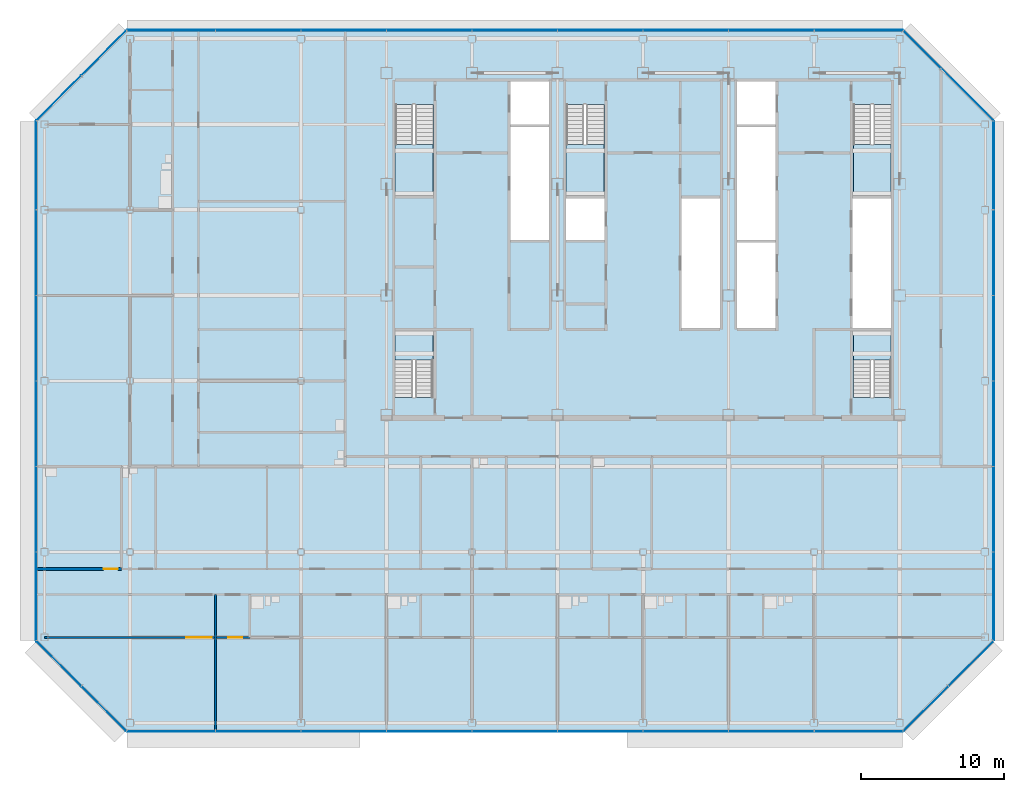
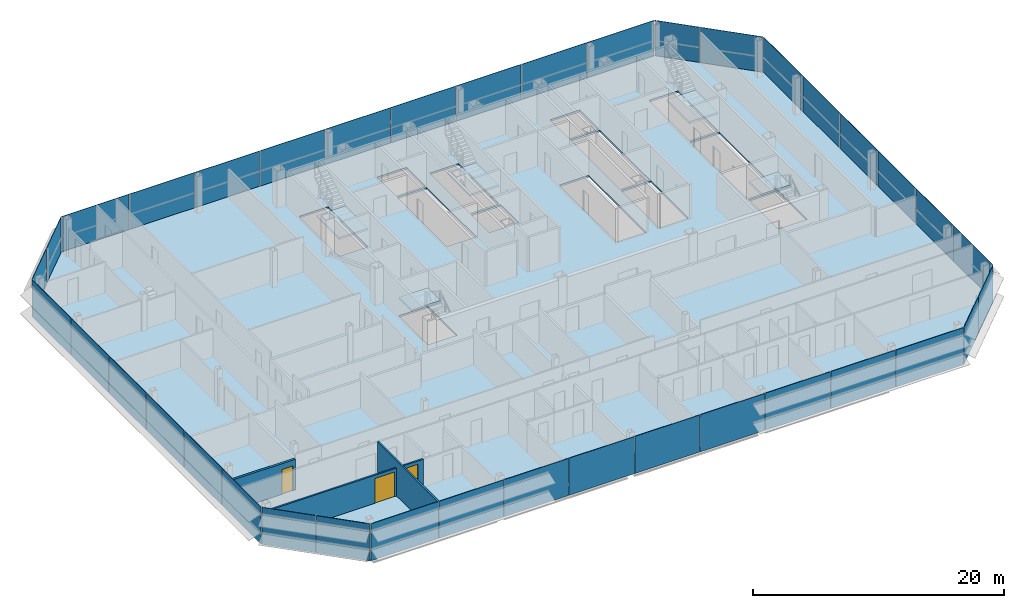
# One storey, part 20 of 28: 38 plates, 6 slabs, 3 doors, 3 walls, 3 openings, 13 elements without a shape of their own.
"""IFC4 building model written with IfcOpenShell, lengths in metres."""

import ifcopenshell
import ifcopenshell.guid

model = None  # the IFC model being written
_history = None  # IfcOwnerHistory: only IFC2X3 demands one
_inside = {}  # id of a spatial element -> (the spatial element, [elements in it])
_under = {}  # id of a project, library or spatial element -> (it, [spatial elements below it])
_declared = {}  # id of a project -> (the project, [libraries it declares])
_typed = {}  # id of a type object -> (the type object, [elements of that type])
_made_of = {}  # id of a material, layer set ... -> (it, [elements and type objects made of it])


def new_model(schema):
    """Start an empty IFC model of exactly this schema.

    Asked for "IFC4X3", IfcOpenShell would pick the latest addendum, in which some entities
    have other attributes; the version numbers below select the first issue.
    IFC2X3 requires an IfcOwnerHistory on every rooted entity: one is made here for all.
    """
    global model, _history
    if schema == "IFC4X3":
        model = ifcopenshell.file(schema_version=(4, 3, 0, 0))
    else:
        model = ifcopenshell.file(schema=schema)
    _inside.clear()
    _under.clear()
    _declared.clear()
    _typed.clear()
    _made_of.clear()
    _history = None
    if model.schema == "IFC2X3":
        org = make("IfcOrganization", Name="unknown")
        user = make(
            "IfcPersonAndOrganization",
            ThePerson=make("IfcPerson", FamilyName="unknown"),
            TheOrganization=org,
        )
        app = make(
            "IfcApplication",
            ApplicationDeveloper=org,
            Version="unknown",
            ApplicationFullName="unknown",
            ApplicationIdentifier="unknown",
        )
        _history = make(
            "IfcOwnerHistory",
            OwningUser=user,
            OwningApplication=app,
            ChangeAction="ADDED",
            CreationDate=0,
        )
    return model


def make(cls, **values):
    """One entity of the class cls with the attributes given. An attribute that is None is left unset."""
    return model.create_entity(
        cls, **{name: value for name, value in values.items() if value is not None}
    )


def rooted(cls, **values):
    """An entity with a GlobalId (a new one), such as an element, a storey or a relation."""
    return make(cls, GlobalId=ifcopenshell.guid.new(), OwnerHistory=_history, **values)


def si_unit(unit_type, name, prefix=None):
    """IfcSIUnit, for example si_unit("LENGTHUNIT", "METRE", prefix="MILLI")."""
    return make("IfcSIUnit", UnitType=unit_type, Prefix=prefix, Name=name)


def assignment(units):
    """IfcUnitAssignment: the units of a project."""
    return None if units is None else make("IfcUnitAssignment", Units=units)


def point(xyz):
    """IfcCartesianPoint."""
    return None if xyz is None else make("IfcCartesianPoint", Coordinates=xyz)


def direction(xyz):
    """IfcDirection."""
    return None if xyz is None else make("IfcDirection", DirectionRatios=xyz)


def frame(location, z_axis=None, x_axis=None):
    """IfcAxis2Placement3D, a coordinate frame: its origin and axes. An axis left out is left unset."""
    return make(
        "IfcAxis2Placement3D",
        Location=point(location),
        Axis=direction(z_axis),
        RefDirection=direction(x_axis),
    )


def frame_2d(location, x_axis=None):
    """IfcAxis2Placement2D, a coordinate frame in the plane: its origin and x axis."""
    return make(
        "IfcAxis2Placement2D", Location=point(location), RefDirection=direction(x_axis)
    )


def origin():
    """The frame at (0, 0, 0) with its axes left unset."""
    return frame((0.0, 0.0, 0.0))


def origin_2d():
    """The frame at (0, 0) in the plane with its x axis left unset."""
    return frame_2d((0.0, 0.0))


def place(relative_to, where):
    """IfcLocalPlacement: puts the frame where relative to a parent placement (None: the world)."""
    return make(
        "IfcLocalPlacement", PlacementRelTo=relative_to, RelativePlacement=where
    )


def context(
    kind, dimensions, precision=None, world=None, true_north=None, identifier=None
):
    """IfcGeometricRepresentationContext, for example the 3D "Model" context."""
    return make(
        "IfcGeometricRepresentationContext",
        ContextIdentifier=identifier,
        ContextType=kind,
        CoordinateSpaceDimension=dimensions,
        Precision=precision,
        WorldCoordinateSystem=world,
        TrueNorth=true_north,
    )


def subcontext(parent, identifier, kind, view, scale=None):
    """IfcGeometricRepresentationSubContext, for example "Body" below "Model"."""
    return make(
        "IfcGeometricRepresentationSubContext",
        ContextIdentifier=identifier,
        ContextType=kind,
        ParentContext=parent,
        TargetScale=scale,
        TargetView=view,
    )


def project(units=None, contexts=None):
    """IfcProject with its units and contexts."""
    return rooted(
        "IfcProject",
        Name="project",
        RepresentationContexts=contexts,
        UnitsInContext=assignment(units),
    )


def spatial(cls, under=None, at=None, **own):
    """A site, building, storey or space (cls), placed at a placement, below another one or the project."""
    s = rooted(cls, ObjectPlacement=at, **own)
    if under is not None:
        _under.setdefault(under.id(), (under, []))[1].append(s)
    return s


def polyline(points):
    """IfcPolyline through the points."""
    return make("IfcPolyline", Points=[point(p) for p in points])


def profile(cls, at=None, kind="AREA", **sizes):
    """A parametric profile (cls). Its sizes go by their IFC names, for example OverallWidth=200.0."""
    return make(cls, ProfileType=kind, Position=at, **sizes)


def rectangle(**sizes):
    """IfcRectangleProfileDef."""
    return profile("IfcRectangleProfileDef", **sizes)


def outline(outer, holes=None, kind="AREA"):
    """IfcArbitraryClosedProfileDef: a profile drawn as a closed curve; with holes, ...WithVoids."""
    if holes is None:
        return make("IfcArbitraryClosedProfileDef", ProfileType=kind, OuterCurve=outer)
    return make(
        "IfcArbitraryProfileDefWithVoids",
        ProfileType=kind,
        OuterCurve=outer,
        InnerCurves=holes,
    )


def extrude(swept, where, along, depth):
    """IfcExtrudedAreaSolid: the profile swept, set in the frame where, extruded along a direction by depth."""
    return make(
        "IfcExtrudedAreaSolid",
        SweptArea=swept,
        Position=where,
        ExtrudedDirection=direction(along),
        Depth=depth,
    )


def shape(context_of_items, identifier, shape_type, items):
    """IfcShapeRepresentation: the items that make up one representation, for example the "Body"."""
    return make(
        "IfcShapeRepresentation",
        ContextOfItems=context_of_items,
        RepresentationIdentifier=identifier,
        RepresentationType=shape_type,
        Items=items,
    )


def material(Name=None, Category=None):
    """IfcMaterial."""
    return make("IfcMaterial", Name=Name, Category=Category)


def layer(
    of_material, thickness, ventilated=None, Name=None, Category=None, Priority=None
):
    """IfcMaterialLayer: one layer of a wall or slab, of a material (None: an air gap)."""
    return make(
        "IfcMaterialLayer",
        Material=of_material,
        LayerThickness=thickness,
        IsVentilated=ventilated,
        Name=Name,
        Category=Category,
        Priority=Priority,
    )


def layer_set(layers, Name=None):
    """IfcMaterialLayerSet."""
    return make("IfcMaterialLayerSet", MaterialLayers=layers, LayerSetName=Name)


def made_of(thing, what):
    """Note that an element or type object is made of a material, layer set ...; save() writes the relation."""
    if what is not None:
        _made_of.setdefault(what.id(), (what, []))[1].append(thing)
    return thing


def type_object(cls, material=None, **own):
    """A type object (cls), such as IfcWallType, which elements share."""
    return made_of(rooted(cls, **own), material)


def element(
    cls,
    number,
    at=None,
    inside=None,
    cuts=None,
    type_object=None,
    material=None,
    context=None,
    identifier="Body",
    shape_type=None,
    held_by="IfcProductDefinitionShape",
    body=None,
    shapes=None,
    **own,
):
    """One element of the class cls, such as IfcWall. Its Tag is "e" and its number.

    at: its placement. inside: the storey or other place that contains it. cuts: it is an
    opening in that element (IfcRelVoidsElement). A single representation is given by context,
    identifier, shape_type and body (its items); several are given by shapes. held_by: the class
    of the entity that holds the representations. save() writes the other relations.
    """
    e = rooted(cls, Tag="e%d" % number, ObjectPlacement=at, **own)
    if body is not None:
        shapes = [shape(context, identifier, shape_type, body)]
    if shapes is not None:
        e.Representation = make(held_by, Representations=shapes)
    if inside is not None:
        _inside.setdefault(inside.id(), (inside, []))[1].append(e)
    if cuts is not None:
        rooted(
            "IfcRelVoidsElement", RelatingBuildingElement=cuts, RelatedOpeningElement=e
        )
    if type_object is not None:
        _typed.setdefault(type_object.id(), (type_object, []))[1].append(e)
    return made_of(e, material)


def fill(opening, filler):
    """IfcRelFillsElement: the door or window that sits in an opening."""
    return rooted(
        "IfcRelFillsElement",
        RelatingOpeningElement=opening,
        RelatedBuildingElement=filler,
    )


def aggregate(whole, parts):
    """IfcRelAggregates: a whole, such as a stair, and the parts it consists of."""
    return rooted("IfcRelAggregates", RelatingObject=whole, RelatedObjects=parts)


def save(model, path):
    """Write the relations noted so far, then the file.

    IfcRelAggregates (storeys below a building ...), IfcRelContainedInSpatialStructure (elements
    in a storey), IfcRelDefinesByType, IfcRelAssociatesMaterial and IfcRelDeclares: one each for
    every whole, place, type object, material and project.
    """
    for whole, parts in _under.values():
        aggregate(whole, parts)
    for where, things in _inside.values():
        rooted(
            "IfcRelContainedInSpatialStructure",
            RelatedElements=things,
            RelatingStructure=where,
        )
    for kind, things in _typed.values():
        rooted("IfcRelDefinesByType", RelatedObjects=things, RelatingType=kind)
    for what, things in _made_of.values():
        rooted("IfcRelAssociatesMaterial", RelatedObjects=things, RelatingMaterial=what)
    for by, libraries in _declared.values():
        rooted("IfcRelDeclares", RelatingContext=by, RelatedDefinitions=libraries)
    model.write(path)


model = new_model("IFC4")

# Units and contexts
model_context = context("Model", 3, precision=1e-05, world=origin(), true_north=direction((0.0, 1.0)))
body_context = subcontext(model_context, "Body", "Model", "MODEL_VIEW")
ifc_project = project(units=[si_unit("LENGTHUNIT", "METRE"), si_unit("AREAUNIT", "SQUARE_METRE"), si_unit("VOLUMEUNIT", "CUBIC_METRE"), si_unit("PLANEANGLEUNIT", "RADIAN"), si_unit("MASSUNIT", "GRAM", prefix="KILO")], contexts=[model_context])

# Site, building, storey
site_placement = place(None, origin())
site = spatial("IfcSite", under=ifc_project, at=site_placement, CompositionType="ELEMENT")
building_placement = place(site_placement, origin())
building = spatial("IfcBuilding", under=site, at=building_placement, Name="Sorahane Residences", CompositionType="ELEMENT")
storey_placement = place(building_placement, frame((0.0, 0.0, 301.60009765625)))
storey = spatial("IfcBuildingStorey", under=building, at=storey_placement, Name="L71", CompositionType="ELEMENT", Elevation=301.60009765625)

# Slab
ifc_material_1 = material(Name="Concrete C35", Category="concrete")
ifc_layer_1 = layer(ifc_material_1, 0.179931640625)
ifc_layer_set_1 = layer_set([ifc_layer_1], Name="Composite floor slab 180 mm Concrete C35")
slab_type_1 = type_object("IfcSlabType", Name="Composite floor slab 180 mm Concrete C35", PredefinedType="FLOOR", material=ifc_layer_set_1)
slab_1_placement = place(storey_placement, frame((0.0, 0.0, -0.18017578125)))
element("IfcSlab", 1, at=slab_1_placement, inside=storey, type_object=slab_type_1, Name="Slab L71", PredefinedType="FLOOR", context=body_context, shape_type="SweptSolid", body=[
    extrude(outline(polyline([(-12.24853515625, -0.60009765625), (-18.60009765625, 5.75146484375), (-18.60009765625, 42.24853515625), (-12.24853515625, 48.60009765625), (42.24853515625, 48.60009765625), (48.60009765625, 42.24853515625), (48.60009765625, 5.75146484375), (42.24853515625, -0.60009765625), (-12.24853515625, -0.60009765625)]), holes=[polyline([(38.699951171875, 27.699951171875), (41.39990234375, 27.699951171875), (41.39990234375, 36.800048828125), (38.699951171875, 36.800048828125), (38.699951171875, 27.699951171875)]), polyline([(30.60009765625, 27.699951171875), (33.300048828125, 27.699951171875), (33.300048828125, 33.699951171875), (30.60009765625, 33.699951171875), (30.60009765625, 27.699951171875)]), polyline([(30.60009765625, 42.0), (33.300048828125, 42.0), (33.300048828125, 45.0), (30.60009765625, 45.0), (30.60009765625, 42.0)]), polyline([(14.699951171875, 42.0), (17.39990234375, 42.0), (17.39990234375, 45.0), (14.699951171875, 45.0), (14.699951171875, 42.0)]), polyline([(6.60009765625, 43.39990234375), (6.60009765625, 37.0), (9.25, 37.0), (9.25, 43.39990234375), (6.60009765625, 43.39990234375)]), polyline([(38.75, 43.39990234375), (38.75, 37.0), (41.39990234375, 37.0), (41.39990234375, 43.39990234375), (38.75, 43.39990234375)]), polyline([(18.60009765625, 43.39990234375), (18.60009765625, 37.0), (21.25, 37.0), (21.25, 43.39990234375), (18.60009765625, 43.39990234375)]), polyline([(9.25, 22.85009765625), (9.25, 27.5), (6.60009765625, 27.5), (6.60009765625, 22.85009765625), (9.25, 22.85009765625)]), polyline([(41.39990234375, 22.85009765625), (41.39990234375, 27.5), (38.75, 27.5), (38.75, 22.85009765625), (41.39990234375, 22.85009765625)]), polyline([(14.699951171875, 33.89990234375), (17.39990234375, 33.89990234375), (17.39990234375, 41.800048828125), (14.699951171875, 41.800048828125), (14.699951171875, 33.89990234375)]), polyline([(30.60009765625, 33.89990234375), (33.300048828125, 33.89990234375), (33.300048828125, 41.800048828125), (30.60009765625, 41.800048828125), (30.60009765625, 33.89990234375)]), polyline([(18.60009765625, 33.89990234375), (21.300048828125, 33.89990234375), (21.300048828125, 36.800048828125), (18.60009765625, 36.800048828125), (18.60009765625, 33.89990234375)]), polyline([(26.699951171875, 27.699951171875), (29.39990234375, 27.699951171875), (29.39990234375, 36.800048828125), (26.699951171875, 36.800048828125), (26.699951171875, 27.699951171875)])]), origin(), (0.0, 0.0, 1.0), 0.18017578125),
])

# Curtain wall, plates
ifc_material_2 = material(Name="Dark low-e glass and black anodised aluminium", Category="aluminium")
curtain_wall_type_1 = type_object("IfcCurtainWallType", Name="Curtain wall CW-1 Typical unitised wall", PredefinedType="NOTDEFINED", material=ifc_material_2)
curtain_wall_1_placement = place(storey_placement, origin())
curtain_wall_1 = element("IfcCurtainWall", 2, at=curtain_wall_1_placement, inside=storey, type_object=curtain_wall_type_1, Name="CW-1 curtain wall L71 S1", PredefinedType="NOTDEFINED")
ifc_material_3 = material(Name="Dark low-e glass with black ceramic frit", Category="glass")
ifc_layer_2 = layer(ifc_material_3, 0.0400390625)
ifc_layer_set_2 = layer_set([ifc_layer_2], Name="Curtain wall glass panel dark low-e with black frit spandrel band")
plate_type = type_object("IfcPlateType", Name="Curtain wall glass panel dark low-e with black frit spandrel band", PredefinedType="CURTAIN_PANEL", material=ifc_layer_set_2)
plate_1_placement = place(storey_placement, frame((-9.11181640625, -0.60009765625, -0.18017578125), z_axis=(0.0, 0.0, 1.0), x_axis=(1.0, 0.0, 0.0)))
plate_1 = element("IfcPlate", 3, at=plate_1_placement, type_object=plate_type, Name="CW-1 glass panel L71 S1.1", PredefinedType="CURTAIN_PANEL", context=body_context, shape_type="SweptSolid", body=[
    extrude(rectangle(XDim=6.173583984375, YDim=0.0400390625, at=origin_2d()), origin(), (0.0, 0.0, 1.0), 3.60009765625),
])
plate_2_placement = place(storey_placement, frame((-3.0, -0.60009765625, -0.18017578125), z_axis=(0.0, 0.0, 1.0), x_axis=(1.0, 0.0, 0.0)))
plate_2 = element("IfcPlate", 4, at=plate_2_placement, type_object=plate_type, Name="CW-1 glass panel L71 S1.2", PredefinedType="CURTAIN_PANEL", context=body_context, shape_type="SweptSolid", body=[
    extrude(rectangle(XDim=5.949951171875, YDim=0.0400390625, at=origin_2d()), origin(), (0.0, 0.0, 1.0), 3.60009765625),
])
plate_3_placement = place(storey_placement, frame((3.0, -0.60009765625, -0.18017578125), z_axis=(0.0, 0.0, 1.0), x_axis=(1.0, 0.0, 0.0)))
plate_3 = element("IfcPlate", 5, at=plate_3_placement, type_object=plate_type, Name="CW-1 glass panel L71 S1.3", PredefinedType="CURTAIN_PANEL", context=body_context, shape_type="SweptSolid", body=[
    extrude(rectangle(XDim=5.949951171875, YDim=0.0400390625, at=origin_2d()), origin(), (0.0, 0.0, 1.0), 3.60009765625),
])
plate_4_placement = place(storey_placement, frame((9.0, -0.60009765625, -0.18017578125), z_axis=(0.0, 0.0, 1.0), x_axis=(1.0, 0.0, 0.0)))
plate_4 = element("IfcPlate", 6, at=plate_4_placement, type_object=plate_type, Name="CW-1 glass panel L71 S1.4", PredefinedType="CURTAIN_PANEL", context=body_context, shape_type="SweptSolid", body=[
    extrude(rectangle(XDim=5.949951171875, YDim=0.0400390625, at=origin_2d()), origin(), (0.0, 0.0, 1.0), 3.60009765625),
])
plate_5_placement = place(storey_placement, frame((15.0, -0.60009765625, -0.18017578125), z_axis=(0.0, 0.0, 1.0), x_axis=(1.0, 0.0, 0.0)))
plate_5 = element("IfcPlate", 7, at=plate_5_placement, type_object=plate_type, Name="CW-1 glass panel L71 S1.5", PredefinedType="CURTAIN_PANEL", context=body_context, shape_type="SweptSolid", body=[
    extrude(rectangle(XDim=5.949951171875, YDim=0.0400390625, at=origin_2d()), origin(), (0.0, 0.0, 1.0), 3.60009765625),
])
plate_6_placement = place(storey_placement, frame((21.0, -0.60009765625, -0.18017578125), z_axis=(0.0, 0.0, 1.0), x_axis=(1.0, 0.0, 0.0)))
plate_6 = element("IfcPlate", 8, at=plate_6_placement, type_object=plate_type, Name="CW-1 glass panel L71 S1.6", PredefinedType="CURTAIN_PANEL", context=body_context, shape_type="SweptSolid", body=[
    extrude(rectangle(XDim=5.949951171875, YDim=0.0400390625, at=origin_2d()), origin(), (0.0, 0.0, 1.0), 3.60009765625),
])
plate_7_placement = place(storey_placement, frame((27.0, -0.60009765625, -0.18017578125), z_axis=(0.0, 0.0, 1.0), x_axis=(1.0, 0.0, 0.0)))
plate_7 = element("IfcPlate", 9, at=plate_7_placement, type_object=plate_type, Name="CW-1 glass panel L71 S1.7", PredefinedType="CURTAIN_PANEL", context=body_context, shape_type="SweptSolid", body=[
    extrude(rectangle(XDim=5.949951171875, YDim=0.0400390625, at=origin_2d()), origin(), (0.0, 0.0, 1.0), 3.60009765625),
])
plate_8_placement = place(storey_placement, frame((33.0, -0.60009765625, -0.18017578125), z_axis=(0.0, 0.0, 1.0), x_axis=(1.0, 0.0, 0.0)))
plate_8 = element("IfcPlate", 10, at=plate_8_placement, type_object=plate_type, Name="CW-1 glass panel L71 S1.8", PredefinedType="CURTAIN_PANEL", context=body_context, shape_type="SweptSolid", body=[
    extrude(rectangle(XDim=5.949951171875, YDim=0.0400390625, at=origin_2d()), origin(), (0.0, 0.0, 1.0), 3.60009765625),
])
plate_9_placement = place(storey_placement, frame((39.11181640625, -0.60009765625, -0.18017578125), z_axis=(0.0, 0.0, 1.0), x_axis=(1.0, 0.0, 0.0)))
plate_9 = element("IfcPlate", 11, at=plate_9_placement, type_object=plate_type, Name="CW-1 glass panel L71 S1.9", PredefinedType="CURTAIN_PANEL", context=body_context, shape_type="SweptSolid", body=[
    extrude(rectangle(XDim=6.173583984375, YDim=0.0400390625, at=origin_2d()), origin(), (0.0, 0.0, 1.0), 3.60009765625),
])
aggregate(curtain_wall_1, [plate_1, plate_2, plate_3, plate_4, plate_5, plate_6, plate_7, plate_8, plate_9])

ifc_material_4 = material(Name="Dark low-e glass and black anodised aluminium", Category="aluminium")
curtain_wall_type_2 = type_object("IfcCurtainWallType", Name="Curtain wall CW-2 Chamfer unitised wall", PredefinedType="NOTDEFINED", material=ifc_material_4)
curtain_wall_2_placement = place(storey_placement, origin())
curtain_wall_2 = element("IfcCurtainWall", 12, at=curtain_wall_2_placement, inside=storey, type_object=curtain_wall_type_2, Name="CW-2 curtain wall L71 SE1", PredefinedType="NOTDEFINED")
plate_10_placement = place(storey_placement, frame((43.84521484375, 0.996826171875, -0.18017578125), z_axis=(0.0, 0.0, 1.0), x_axis=(0.707106781187, 0.707106781187, 0.0)))
plate_10 = element("IfcPlate", 13, at=plate_10_placement, type_object=plate_type, Name="CW-2 glass panel L71 SE1.1", PredefinedType="CURTAIN_PANEL", context=body_context, shape_type="SweptSolid", body=[
    extrude(rectangle(XDim=4.416259765625, YDim=0.0400390625, at=origin_2d()), origin(), (0.0, 0.0, 1.0), 3.60009765625),
])
plate_11_placement = place(storey_placement, frame((47.003173828125, 4.15478515625, -0.18017578125), z_axis=(0.0, 0.0, 1.0), x_axis=(0.707106781187, 0.707106781187, 0.0)))
plate_11 = element("IfcPlate", 14, at=plate_11_placement, type_object=plate_type, Name="CW-2 glass panel L71 SE1.2", PredefinedType="CURTAIN_PANEL", context=body_context, shape_type="SweptSolid", body=[
    extrude(rectangle(XDim=4.416259765625, YDim=0.0400390625, at=origin_2d()), origin(), (0.0, 0.0, 1.0), 3.60009765625),
])
aggregate(curtain_wall_2, [plate_10, plate_11])

curtain_wall_3_placement = place(storey_placement, origin())
curtain_wall_3 = element("IfcCurtainWall", 15, at=curtain_wall_3_placement, inside=storey, type_object=curtain_wall_type_1, Name="CW-1 curtain wall L71 E1", PredefinedType="NOTDEFINED")
plate_12_placement = place(storey_placement, frame((48.60009765625, 8.88818359375, -0.18017578125), z_axis=(0.0, 0.0, 1.0), x_axis=(0.0, 1.0, 0.0)))
plate_12 = element("IfcPlate", 16, at=plate_12_placement, type_object=plate_type, Name="CW-1 glass panel L71 E1.1", PredefinedType="CURTAIN_PANEL", context=body_context, shape_type="SweptSolid", body=[
    extrude(rectangle(XDim=6.173583984375, YDim=0.0400390625, at=origin_2d()), origin(), (0.0, 0.0, 1.0), 3.60009765625),
])
plate_13_placement = place(storey_placement, frame((48.60009765625, 15.0, -0.18017578125), z_axis=(0.0, 0.0, 1.0), x_axis=(0.0, 1.0, 0.0)))
plate_13 = element("IfcPlate", 17, at=plate_13_placement, type_object=plate_type, Name="CW-1 glass panel L71 E1.2", PredefinedType="CURTAIN_PANEL", context=body_context, shape_type="SweptSolid", body=[
    extrude(rectangle(XDim=5.949951171875, YDim=0.0400390625, at=origin_2d()), origin(), (0.0, 0.0, 1.0), 3.60009765625),
])
plate_14_placement = place(storey_placement, frame((48.60009765625, 21.0, -0.18017578125), z_axis=(0.0, 0.0, 1.0), x_axis=(0.0, 1.0, 0.0)))
plate_14 = element("IfcPlate", 18, at=plate_14_placement, type_object=plate_type, Name="CW-1 glass panel L71 E1.3", PredefinedType="CURTAIN_PANEL", context=body_context, shape_type="SweptSolid", body=[
    extrude(rectangle(XDim=5.949951171875, YDim=0.0400390625, at=origin_2d()), origin(), (0.0, 0.0, 1.0), 3.60009765625),
])
plate_15_placement = place(storey_placement, frame((48.60009765625, 27.0, -0.18017578125), z_axis=(0.0, 0.0, 1.0), x_axis=(0.0, 1.0, 0.0)))
plate_15 = element("IfcPlate", 19, at=plate_15_placement, type_object=plate_type, Name="CW-1 glass panel L71 E1.4", PredefinedType="CURTAIN_PANEL", context=body_context, shape_type="SweptSolid", body=[
    extrude(rectangle(XDim=5.949951171875, YDim=0.0400390625, at=origin_2d()), origin(), (0.0, 0.0, 1.0), 3.60009765625),
])
plate_16_placement = place(storey_placement, frame((48.60009765625, 33.0, -0.18017578125), z_axis=(0.0, 0.0, 1.0), x_axis=(0.0, 1.0, 0.0)))
plate_16 = element("IfcPlate", 20, at=plate_16_placement, type_object=plate_type, Name="CW-1 glass panel L71 E1.5", PredefinedType="CURTAIN_PANEL", context=body_context, shape_type="SweptSolid", body=[
    extrude(rectangle(XDim=5.949951171875, YDim=0.0400390625, at=origin_2d()), origin(), (0.0, 0.0, 1.0), 3.60009765625),
])
plate_17_placement = place(storey_placement, frame((48.60009765625, 39.11181640625, -0.18017578125), z_axis=(0.0, 0.0, 1.0), x_axis=(0.0, 1.0, 0.0)))
plate_17 = element("IfcPlate", 21, at=plate_17_placement, type_object=plate_type, Name="CW-1 glass panel L71 E1.6", PredefinedType="CURTAIN_PANEL", context=body_context, shape_type="SweptSolid", body=[
    extrude(rectangle(XDim=6.173583984375, YDim=0.0400390625, at=origin_2d()), origin(), (0.0, 0.0, 1.0), 3.60009765625),
])
aggregate(curtain_wall_3, [plate_12, plate_13, plate_14, plate_15, plate_16, plate_17])

curtain_wall_4_placement = place(storey_placement, origin())
curtain_wall_4 = element("IfcCurtainWall", 22, at=curtain_wall_4_placement, inside=storey, type_object=curtain_wall_type_2, Name="CW-2 curtain wall L71 NE1", PredefinedType="NOTDEFINED")
plate_18_placement = place(storey_placement, frame((46.740966796875, 44.107421875, -0.18017578125), z_axis=(0.0, 0.0, 1.0), x_axis=(-0.707106781187, 0.707106781187, 0.0)))
plate_18 = element("IfcPlate", 23, at=plate_18_placement, type_object=plate_type, Name="CW-2 glass panel L71 NE1.1", PredefinedType="CURTAIN_PANEL", context=body_context, shape_type="SweptSolid", body=[
    extrude(rectangle(XDim=5.157958984375, YDim=0.0400390625, at=origin_2d()), origin(), (0.0, 0.0, 1.0), 3.60009765625),
])
plate_19_placement = place(storey_placement, frame((43.5830078125, 47.265625, -0.18017578125), z_axis=(0.0, 0.0, 1.0), x_axis=(-0.707106781187, 0.707106781187, 0.0)))
plate_19 = element("IfcPlate", 24, at=plate_19_placement, type_object=plate_type, Name="CW-2 glass panel L71 NE1.2", PredefinedType="CURTAIN_PANEL", context=body_context, shape_type="SweptSolid", body=[
    extrude(rectangle(XDim=3.67431640625, YDim=0.0400390625, at=origin_2d()), origin(), (0.0, 0.0, 1.0), 3.60009765625),
])
aggregate(curtain_wall_4, [plate_18, plate_19])

curtain_wall_5_placement = place(storey_placement, origin())
curtain_wall_5 = element("IfcCurtainWall", 25, at=curtain_wall_5_placement, inside=storey, type_object=curtain_wall_type_1, Name="CW-1 curtain wall L71 N1", PredefinedType="NOTDEFINED")
plate_20_placement = place(storey_placement, frame((39.11181640625, 48.60009765625, -0.18017578125), z_axis=(0.0, 0.0, 1.0), x_axis=(-1.0, 0.0, 0.0)))
plate_20 = element("IfcPlate", 26, at=plate_20_placement, type_object=plate_type, Name="CW-1 glass panel L71 N1.1", PredefinedType="CURTAIN_PANEL", context=body_context, shape_type="SweptSolid", body=[
    extrude(rectangle(XDim=6.173583984375, YDim=0.0400390625, at=origin_2d()), origin(), (0.0, 0.0, 1.0), 3.60009765625),
])
plate_21_placement = place(storey_placement, frame((33.0, 48.60009765625, -0.18017578125), z_axis=(0.0, 0.0, 1.0), x_axis=(-1.0, 0.0, 0.0)))
plate_21 = element("IfcPlate", 27, at=plate_21_placement, type_object=plate_type, Name="CW-1 glass panel L71 N1.2", PredefinedType="CURTAIN_PANEL", context=body_context, shape_type="SweptSolid", body=[
    extrude(rectangle(XDim=5.949951171875, YDim=0.0400390625, at=origin_2d()), origin(), (0.0, 0.0, 1.0), 3.60009765625),
])
plate_22_placement = place(storey_placement, frame((27.0, 48.60009765625, -0.18017578125), z_axis=(0.0, 0.0, 1.0), x_axis=(-1.0, 0.0, 0.0)))
plate_22 = element("IfcPlate", 28, at=plate_22_placement, type_object=plate_type, Name="CW-1 glass panel L71 N1.3", PredefinedType="CURTAIN_PANEL", context=body_context, shape_type="SweptSolid", body=[
    extrude(rectangle(XDim=5.949951171875, YDim=0.0400390625, at=origin_2d()), origin(), (0.0, 0.0, 1.0), 3.60009765625),
])
plate_23_placement = place(storey_placement, frame((21.0, 48.60009765625, -0.18017578125), z_axis=(0.0, 0.0, 1.0), x_axis=(-1.0, 0.0, 0.0)))
plate_23 = element("IfcPlate", 29, at=plate_23_placement, type_object=plate_type, Name="CW-1 glass panel L71 N1.4", PredefinedType="CURTAIN_PANEL", context=body_context, shape_type="SweptSolid", body=[
    extrude(rectangle(XDim=5.949951171875, YDim=0.0400390625, at=origin_2d()), origin(), (0.0, 0.0, 1.0), 3.60009765625),
])
plate_24_placement = place(storey_placement, frame((15.0, 48.60009765625, -0.18017578125), z_axis=(0.0, 0.0, 1.0), x_axis=(-1.0, 0.0, 0.0)))
plate_24 = element("IfcPlate", 30, at=plate_24_placement, type_object=plate_type, Name="CW-1 glass panel L71 N1.5", PredefinedType="CURTAIN_PANEL", context=body_context, shape_type="SweptSolid", body=[
    extrude(rectangle(XDim=5.949951171875, YDim=0.0400390625, at=origin_2d()), origin(), (0.0, 0.0, 1.0), 3.60009765625),
])
plate_25_placement = place(storey_placement, frame((9.0, 48.60009765625, -0.18017578125), z_axis=(0.0, 0.0, 1.0), x_axis=(-1.0, 0.0, 0.0)))
plate_25 = element("IfcPlate", 31, at=plate_25_placement, type_object=plate_type, Name="CW-1 glass panel L71 N1.6", PredefinedType="CURTAIN_PANEL", context=body_context, shape_type="SweptSolid", body=[
    extrude(rectangle(XDim=5.949951171875, YDim=0.0400390625, at=origin_2d()), origin(), (0.0, 0.0, 1.0), 3.60009765625),
])
plate_26_placement = place(storey_placement, frame((3.0, 48.60009765625, -0.18017578125), z_axis=(0.0, 0.0, 1.0), x_axis=(-1.0, 0.0, 0.0)))
plate_26 = element("IfcPlate", 32, at=plate_26_placement, type_object=plate_type, Name="CW-1 glass panel L71 N1.7", PredefinedType="CURTAIN_PANEL", context=body_context, shape_type="SweptSolid", body=[
    extrude(rectangle(XDim=5.949951171875, YDim=0.0400390625, at=origin_2d()), origin(), (0.0, 0.0, 1.0), 3.60009765625),
])
plate_27_placement = place(storey_placement, frame((-3.0, 48.60009765625, -0.18017578125), z_axis=(0.0, 0.0, 1.0), x_axis=(-1.0, 0.0, 0.0)))
plate_27 = element("IfcPlate", 33, at=plate_27_placement, type_object=plate_type, Name="CW-1 glass panel L71 N1.8", PredefinedType="CURTAIN_PANEL", context=body_context, shape_type="SweptSolid", body=[
    extrude(rectangle(XDim=5.949951171875, YDim=0.0400390625, at=origin_2d()), origin(), (0.0, 0.0, 1.0), 3.60009765625),
])
plate_28_placement = place(storey_placement, frame((-9.11181640625, 48.60009765625, -0.18017578125), z_axis=(0.0, 0.0, 1.0), x_axis=(-1.0, 0.0, 0.0)))
plate_28 = element("IfcPlate", 34, at=plate_28_placement, type_object=plate_type, Name="CW-1 glass panel L71 N1.9", PredefinedType="CURTAIN_PANEL", context=body_context, shape_type="SweptSolid", body=[
    extrude(rectangle(XDim=6.173583984375, YDim=0.0400390625, at=origin_2d()), origin(), (0.0, 0.0, 1.0), 3.60009765625),
])
aggregate(curtain_wall_5, [plate_20, plate_21, plate_22, plate_23, plate_24, plate_25, plate_26, plate_27, plate_28])

curtain_wall_6_placement = place(storey_placement, origin())
curtain_wall_6 = element("IfcCurtainWall", 35, at=curtain_wall_6_placement, inside=storey, type_object=curtain_wall_type_2, Name="CW-2 curtain wall L71 NW1", PredefinedType="NOTDEFINED")
plate_29_placement = place(storey_placement, frame((-13.84521484375, 47.003173828125, -0.18017578125), z_axis=(0.0, 0.0, 1.0), x_axis=(-0.707106781187, -0.707106781187, 0.0)))
plate_29 = element("IfcPlate", 36, at=plate_29_placement, type_object=plate_type, Name="CW-2 glass panel L71 NW1.1", PredefinedType="CURTAIN_PANEL", context=body_context, shape_type="SweptSolid", body=[
    extrude(rectangle(XDim=4.416259765625, YDim=0.0400390625, at=origin_2d()), origin(), (0.0, 0.0, 1.0), 3.60009765625),
])
plate_30_placement = place(storey_placement, frame((-17.003173828125, 43.84521484375, -0.18017578125), z_axis=(0.0, 0.0, 1.0), x_axis=(-0.707106781187, -0.707106781187, 0.0)))
plate_30 = element("IfcPlate", 37, at=plate_30_placement, type_object=plate_type, Name="CW-2 glass panel L71 NW1.2", PredefinedType="CURTAIN_PANEL", context=body_context, shape_type="SweptSolid", body=[
    extrude(rectangle(XDim=4.416259765625, YDim=0.0400390625, at=origin_2d()), origin(), (0.0, 0.0, 1.0), 3.60009765625),
])
aggregate(curtain_wall_6, [plate_29, plate_30])

curtain_wall_7_placement = place(storey_placement, origin())
curtain_wall_7 = element("IfcCurtainWall", 38, at=curtain_wall_7_placement, inside=storey, type_object=curtain_wall_type_1, Name="CW-1 curtain wall L71 W1", PredefinedType="NOTDEFINED")
plate_31_placement = place(storey_placement, frame((-18.60009765625, 39.11181640625, -0.18017578125), z_axis=(0.0, 0.0, 1.0), x_axis=(0.0, -1.0, 0.0)))
plate_31 = element("IfcPlate", 39, at=plate_31_placement, type_object=plate_type, Name="CW-1 glass panel L71 W1.1", PredefinedType="CURTAIN_PANEL", context=body_context, shape_type="SweptSolid", body=[
    extrude(rectangle(XDim=6.173583984375, YDim=0.0400390625, at=origin_2d()), origin(), (0.0, 0.0, 1.0), 3.60009765625),
])
plate_32_placement = place(storey_placement, frame((-18.60009765625, 33.0, -0.18017578125), z_axis=(0.0, 0.0, 1.0), x_axis=(0.0, -1.0, 0.0)))
plate_32 = element("IfcPlate", 40, at=plate_32_placement, type_object=plate_type, Name="CW-1 glass panel L71 W1.2", PredefinedType="CURTAIN_PANEL", context=body_context, shape_type="SweptSolid", body=[
    extrude(rectangle(XDim=5.949951171875, YDim=0.0400390625, at=origin_2d()), origin(), (0.0, 0.0, 1.0), 3.60009765625),
])
plate_33_placement = place(storey_placement, frame((-18.60009765625, 27.0, -0.18017578125), z_axis=(0.0, 0.0, 1.0), x_axis=(0.0, -1.0, 0.0)))
plate_33 = element("IfcPlate", 41, at=plate_33_placement, type_object=plate_type, Name="CW-1 glass panel L71 W1.3", PredefinedType="CURTAIN_PANEL", context=body_context, shape_type="SweptSolid", body=[
    extrude(rectangle(XDim=5.949951171875, YDim=0.0400390625, at=origin_2d()), origin(), (0.0, 0.0, 1.0), 3.60009765625),
])
plate_34_placement = place(storey_placement, frame((-18.60009765625, 21.0, -0.18017578125), z_axis=(0.0, 0.0, 1.0), x_axis=(0.0, -1.0, 0.0)))
plate_34 = element("IfcPlate", 42, at=plate_34_placement, type_object=plate_type, Name="CW-1 glass panel L71 W1.4", PredefinedType="CURTAIN_PANEL", context=body_context, shape_type="SweptSolid", body=[
    extrude(rectangle(XDim=5.949951171875, YDim=0.0400390625, at=origin_2d()), origin(), (0.0, 0.0, 1.0), 3.60009765625),
])
plate_35_placement = place(storey_placement, frame((-18.60009765625, 15.0, -0.18017578125), z_axis=(0.0, 0.0, 1.0), x_axis=(0.0, -1.0, 0.0)))
plate_35 = element("IfcPlate", 43, at=plate_35_placement, type_object=plate_type, Name="CW-1 glass panel L71 W1.5", PredefinedType="CURTAIN_PANEL", context=body_context, shape_type="SweptSolid", body=[
    extrude(rectangle(XDim=5.949951171875, YDim=0.0400390625, at=origin_2d()), origin(), (0.0, 0.0, 1.0), 3.60009765625),
])
plate_36_placement = place(storey_placement, frame((-18.60009765625, 8.88818359375, -0.18017578125), z_axis=(0.0, 0.0, 1.0), x_axis=(0.0, -1.0, 0.0)))
plate_36 = element("IfcPlate", 44, at=plate_36_placement, type_object=plate_type, Name="CW-1 glass panel L71 W1.6", PredefinedType="CURTAIN_PANEL", context=body_context, shape_type="SweptSolid", body=[
    extrude(rectangle(XDim=6.173583984375, YDim=0.0400390625, at=origin_2d()), origin(), (0.0, 0.0, 1.0), 3.60009765625),
])
aggregate(curtain_wall_7, [plate_31, plate_32, plate_33, plate_34, plate_35, plate_36])

curtain_wall_8_placement = place(storey_placement, origin())
curtain_wall_8 = element("IfcCurtainWall", 45, at=curtain_wall_8_placement, inside=storey, type_object=curtain_wall_type_2, Name="CW-2 curtain wall L71 SW1", PredefinedType="NOTDEFINED")
plate_37_placement = place(storey_placement, frame((-17.003173828125, 4.15478515625, -0.18017578125), z_axis=(0.0, 0.0, 1.0), x_axis=(0.707106781187, -0.707106781187, 0.0)))
plate_37 = element("IfcPlate", 46, at=plate_37_placement, type_object=plate_type, Name="CW-2 glass panel L71 SW1.1", PredefinedType="CURTAIN_PANEL", context=body_context, shape_type="SweptSolid", body=[
    extrude(rectangle(XDim=4.416259765625, YDim=0.0400390625, at=origin_2d()), origin(), (0.0, 0.0, 1.0), 3.60009765625),
])
plate_38_placement = place(storey_placement, frame((-13.84521484375, 0.996826171875, -0.18017578125), z_axis=(0.0, 0.0, 1.0), x_axis=(0.707106781187, -0.707106781187, 0.0)))
plate_38 = element("IfcPlate", 47, at=plate_38_placement, type_object=plate_type, Name="CW-2 glass panel L71 SW1.2", PredefinedType="CURTAIN_PANEL", context=body_context, shape_type="SweptSolid", body=[
    extrude(rectangle(XDim=4.416259765625, YDim=0.0400390625, at=origin_2d()), origin(), (0.0, 0.0, 1.0), 3.60009765625),
])
aggregate(curtain_wall_8, [plate_37, plate_38])

# Stair, slab
ifc_material_5 = material(Name="Concrete C40", Category="concrete")
stair_type = type_object("IfcStairType", Name="Dog-leg stair 1250 Concrete C40", PredefinedType="HALF_TURN_STAIR", material=ifc_material_5)
stair_1_placement = place(storey_placement, origin())
stair_1 = element("IfcStair", 48, at=stair_1_placement, inside=storey, type_object=stair_type, Name="L71 Stair S1", PredefinedType="HALF_TURN_STAIR")
ifc_material_6 = material(Name="Concrete C40", Category="concrete")
ifc_layer_3 = layer(ifc_material_6, 0.199951171875)
ifc_layer_set_3 = layer_set([ifc_layer_3], Name="Stair landing 200 Concrete C40")
slab_type_2 = type_object("IfcSlabType", Name="Stair landing 200 Concrete C40", PredefinedType="LANDING", material=ifc_layer_set_3)
slab_2_placement = place(storey_placement, frame((0.0, 0.0, 1.599853515625)))
slab_2 = element("IfcSlab", 49, at=slab_2_placement, type_object=slab_type_2, Name="S1 landing 1", PredefinedType="LANDING", context=body_context, shape_type="SweptSolid", body=[
    extrude(outline(polyline([(6.60009765625, 40.60009765625), (6.60009765625, 37.0), (9.25, 37.0), (9.25, 40.60009765625), (6.60009765625, 40.60009765625)])), origin(), (0.0, 0.0, 1.0), 0.199951171875),
])
aggregate(stair_1, [slab_2])

stair_2_placement = place(storey_placement, origin())
stair_2 = element("IfcStair", 50, at=stair_2_placement, inside=storey, type_object=stair_type, Name="L71 Stair S2", PredefinedType="HALF_TURN_STAIR")
slab_3_placement = place(storey_placement, frame((0.0, 0.0, 1.599853515625)))
slab_3 = element("IfcSlab", 51, at=slab_3_placement, type_object=slab_type_2, Name="S2 landing 1", PredefinedType="LANDING", context=body_context, shape_type="SweptSolid", body=[
    extrude(outline(polyline([(38.75, 40.60009765625), (38.75, 37.0), (41.39990234375, 37.0), (41.39990234375, 40.60009765625), (38.75, 40.60009765625)])), origin(), (0.0, 0.0, 1.0), 0.199951171875),
])
aggregate(stair_2, [slab_3])

stair_3_placement = place(storey_placement, origin())
stair_3 = element("IfcStair", 52, at=stair_3_placement, inside=storey, type_object=stair_type, Name="L71 Stair S3", PredefinedType="HALF_TURN_STAIR")
slab_4_placement = place(storey_placement, frame((0.0, 0.0, 1.599853515625)))
slab_4 = element("IfcSlab", 53, at=slab_4_placement, type_object=slab_type_2, Name="S3 landing 1", PredefinedType="LANDING", context=body_context, shape_type="SweptSolid", body=[
    extrude(outline(polyline([(18.60009765625, 40.60009765625), (18.60009765625, 37.0), (21.25, 37.0), (21.25, 40.60009765625), (18.60009765625, 40.60009765625)])), origin(), (0.0, 0.0, 1.0), 0.199951171875),
])
aggregate(stair_3, [slab_4])

stair_4_placement = place(storey_placement, origin())
stair_4 = element("IfcStair", 54, at=stair_4_placement, inside=storey, type_object=stair_type, Name="L71 Stair S4", PredefinedType="HALF_TURN_STAIR")
slab_5_placement = place(storey_placement, frame((0.0, 0.0, 1.599853515625)))
slab_5 = element("IfcSlab", 55, at=slab_5_placement, type_object=slab_type_2, Name="S4 landing 1", PredefinedType="LANDING", context=body_context, shape_type="SweptSolid", body=[
    extrude(outline(polyline([(9.25, 25.449951171875), (9.25, 27.5), (6.60009765625, 27.5), (6.60009765625, 25.449951171875), (9.25, 25.449951171875)])), origin(), (0.0, 0.0, 1.0), 0.199951171875),
])
aggregate(stair_4, [slab_5])

stair_5_placement = place(storey_placement, origin())
stair_5 = element("IfcStair", 56, at=stair_5_placement, inside=storey, type_object=stair_type, Name="L71 Stair S5", PredefinedType="HALF_TURN_STAIR")
slab_6_placement = place(storey_placement, frame((0.0, 0.0, 1.599853515625)))
slab_6 = element("IfcSlab", 57, at=slab_6_placement, type_object=slab_type_2, Name="S5 landing 1", PredefinedType="LANDING", context=body_context, shape_type="SweptSolid", body=[
    extrude(outline(polyline([(41.39990234375, 25.449951171875), (41.39990234375, 27.5), (38.75, 27.5), (38.75, 25.449951171875), (41.39990234375, 25.449951171875)])), origin(), (0.0, 0.0, 1.0), 0.199951171875),
])
aggregate(stair_5, [slab_6])

# Wall, opening, door
ifc_material_7 = material(Name="Concrete blockwork C20 wall", Category="masonry")
ifc_layer_4 = layer(ifc_material_7, 0.199951171875)
ifc_layer_set_4 = layer_set([ifc_layer_4], Name="Kitchen wall 200 EI 180")
wall_type_1 = type_object("IfcWallType", Name="Kitchen wall 200 EI 180", PredefinedType="SOLIDWALL", material=ifc_layer_set_4)
wall_1_placement = place(storey_placement, frame((-18.60009765625, 10.800048828125, 0.0), z_axis=(0.0, 0.0, 1.0), x_axis=(1.0, 0.0, 0.0)))
wall_1 = element("IfcWall", 58, at=wall_1_placement, inside=storey, type_object=wall_type_1, Name="L71 kitchen wall", PredefinedType="SOLIDWALL", context=body_context, shape_type="SweptSolid", body=[
    extrude(rectangle(XDim=6.0, YDim=0.199951171875, at=frame_2d((3.0, 0.0))), origin(), (0.0, 0.0, 1.0), 2.969970703125),
])
opening_1_placement = place(wall_1_placement, frame((4.75, 0.0, 0.0)))
opening_1 = element("IfcOpeningElement", 59, at=opening_1_placement, cuts=wall_1, Name="Opening L71-02", PredefinedType="OPENING", context=body_context, shape_type="SweptSolid", body=[
    extrude(rectangle(XDim=1.0, YDim=2.39990234375, at=frame_2d((0.5, 1.199951171875))), frame((0.0, 0.10986328125, 0.0), z_axis=(0.0, -1.0, 0.0), x_axis=(1.0, 0.0, 0.0)), (0.0, 0.0, 1.0), 0.219970703125),
])
ifc_material_8 = material(Name="Steel", Category="steel")
door_type_1 = type_object("IfcDoorType", Name="Kitchen door 1000x2400 FD120", OperationType="NOTDEFINED", PredefinedType="DOOR", material=ifc_material_8)
door_1_placement = place(opening_1_placement, origin())
door_1 = element("IfcDoor", 60, at=door_1_placement, inside=storey, type_object=door_type_1, Name="Kitchen door L71-02", OperationType="SINGLE_SWING_RIGHT", OverallHeight=2.39990234375, OverallWidth=1.0, PredefinedType="DOOR", context=body_context, shape_type="SweptSolid", body=[
    extrude(rectangle(XDim=1.0, YDim=2.39990234375, at=frame_2d((0.5, 1.199951171875))), frame((0.0, 0.02490234375, 0.0), z_axis=(0.0, -1.0, 0.0), x_axis=(1.0, 0.0, 0.0)), (0.0, 0.0, 1.0), 0.050048828125),
])
fill(opening_1, door_1)

# Wall
ifc_material_9 = material(Name="Gypsum board partition on steel studs", Category="steel")
ifc_layer_5 = layer(ifc_material_9, 0.14990234375)
ifc_layer_set_5 = layer_set([ifc_layer_5], Name="Partition 150 EI 90")
wall_type_2 = type_object("IfcWallType", Name="Partition 150 EI 90", PredefinedType="PARTITIONING", material=ifc_layer_set_5)
wall_2_placement = place(storey_placement, frame((-6.0, -0.60009765625, 0.0), z_axis=(0.0, 0.0, 1.0), x_axis=(0.0, 1.0, 0.0)))
element("IfcWall", 61, at=wall_2_placement, inside=storey, type_object=wall_type_2, Name="L71 partition", PredefinedType="PARTITIONING", context=body_context, shape_type="SweptSolid", body=[
    extrude(rectangle(XDim=9.60009765625, YDim=0.14990234375, at=frame_2d((4.800048828125, 0.0))), origin(), (0.0, 0.0, 1.0), 3.419921875),
])

# Wall, openings, doors
wall_3_placement = place(storey_placement, frame((-18.0, 6.0, 0.0), z_axis=(0.0, 0.0, 1.0), x_axis=(1.0, 0.0, 0.0)))
wall_3 = element("IfcWall", 62, at=wall_3_placement, inside=storey, type_object=wall_type_2, Name="L71 partition", PredefinedType="PARTITIONING", context=body_context, shape_type="SweptSolid", body=[
    extrude(rectangle(XDim=14.39990234375, YDim=0.14990234375, at=frame_2d((7.199951171875, 0.0))), origin(), (0.0, 0.0, 1.0), 2.719970703125),
])
opening_2_placement = place(wall_3_placement, frame((9.949951171875, 0.0, 0.0)))
opening_2 = element("IfcOpeningElement", 63, at=opening_2_placement, cuts=wall_3, Name="Opening L71-10", PredefinedType="OPENING", context=body_context, shape_type="SweptSolid", body=[
    extrude(rectangle(XDim=1.800048828125, YDim=2.39990234375, at=frame_2d((0.89990234375, 1.199951171875))), frame((0.0, 0.0849609375, 0.0), z_axis=(0.0, -1.0, 0.0), x_axis=(1.0, 0.0, 0.0)), (0.0, 0.0, 1.0), 0.169921875),
])
opening_3_placement = place(wall_3_placement, frame((12.8798828125, 0.0, 0.0)))
opening_3 = element("IfcOpeningElement", 64, at=opening_3_placement, cuts=wall_3, Name="Opening L71-11", PredefinedType="OPENING", context=body_context, shape_type="SweptSolid", body=[
    extrude(rectangle(XDim=1.0, YDim=2.39990234375, at=frame_2d((0.5, 1.199951171875))), frame((0.0, 0.0849609375, 0.0), z_axis=(0.0, -1.0, 0.0), x_axis=(1.0, 0.0, 0.0)), (0.0, 0.0, 1.0), 0.169921875),
])
ifc_material_10 = material(Name="Timber veneered fire door", Category="wood")
door_type_2 = type_object("IfcDoorType", Name="Double door 1800x2400 FD30", OperationType="NOTDEFINED", PredefinedType="DOOR", material=ifc_material_10)
door_2_placement = place(opening_2_placement, frame((1.800048828125, 0.0, 0.0), z_axis=(0.0, 0.0, 1.0), x_axis=(-1.0, 0.0, 0.0)))
door_2 = element("IfcDoor", 65, at=door_2_placement, inside=storey, type_object=door_type_2, Name="Double door L71-10", OperationType="SINGLE_SWING_RIGHT", OverallHeight=2.39990234375, OverallWidth=1.800048828125, PredefinedType="DOOR", context=body_context, shape_type="SweptSolid", body=[
    extrude(rectangle(XDim=1.800048828125, YDim=2.39990234375, at=frame_2d((0.89990234375, 1.199951171875))), frame((0.0, 0.02490234375, 0.0), z_axis=(0.0, -1.0, 0.0), x_axis=(1.0, 0.0, 0.0)), (0.0, 0.0, 1.0), 0.050048828125),
])
fill(opening_2, door_2)
ifc_material_11 = material(Name="Timber veneered fire door", Category="wood")
door_type_3 = type_object("IfcDoorType", Name="Room door 1000x2400 FD30", OperationType="NOTDEFINED", PredefinedType="DOOR", material=ifc_material_11)
door_3_placement = place(opening_3_placement, frame((1.0, 0.0, 0.0), z_axis=(0.0, 0.0, 1.0), x_axis=(-1.0, 0.0, 0.0)))
door_3 = element("IfcDoor", 66, at=door_3_placement, inside=storey, type_object=door_type_3, Name="Room door L71-11", OperationType="SINGLE_SWING_RIGHT", OverallHeight=2.39990234375, OverallWidth=1.0, PredefinedType="DOOR", context=body_context, shape_type="SweptSolid", body=[
    extrude(rectangle(XDim=1.0, YDim=2.39990234375, at=frame_2d((0.5, 1.199951171875))), frame((0.0, 0.02490234375, 0.0), z_axis=(0.0, -1.0, 0.0), x_axis=(1.0, 0.0, 0.0)), (0.0, 0.0, 1.0), 0.050048828125),
])
fill(opening_3, door_3)

save(model, "model.ifc")
